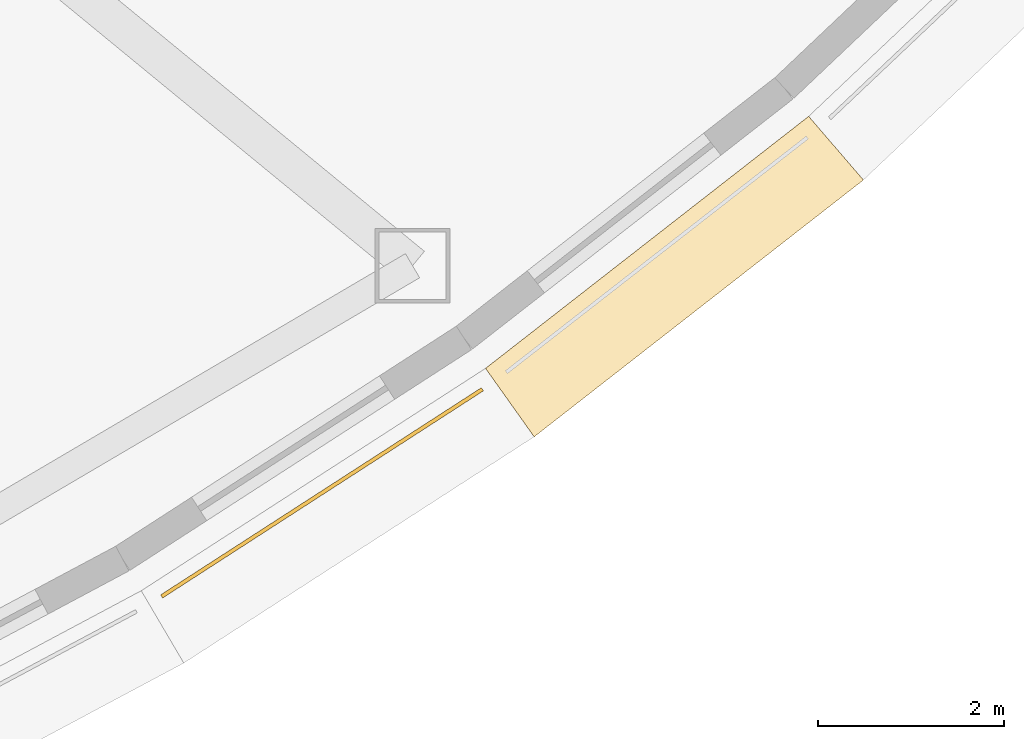
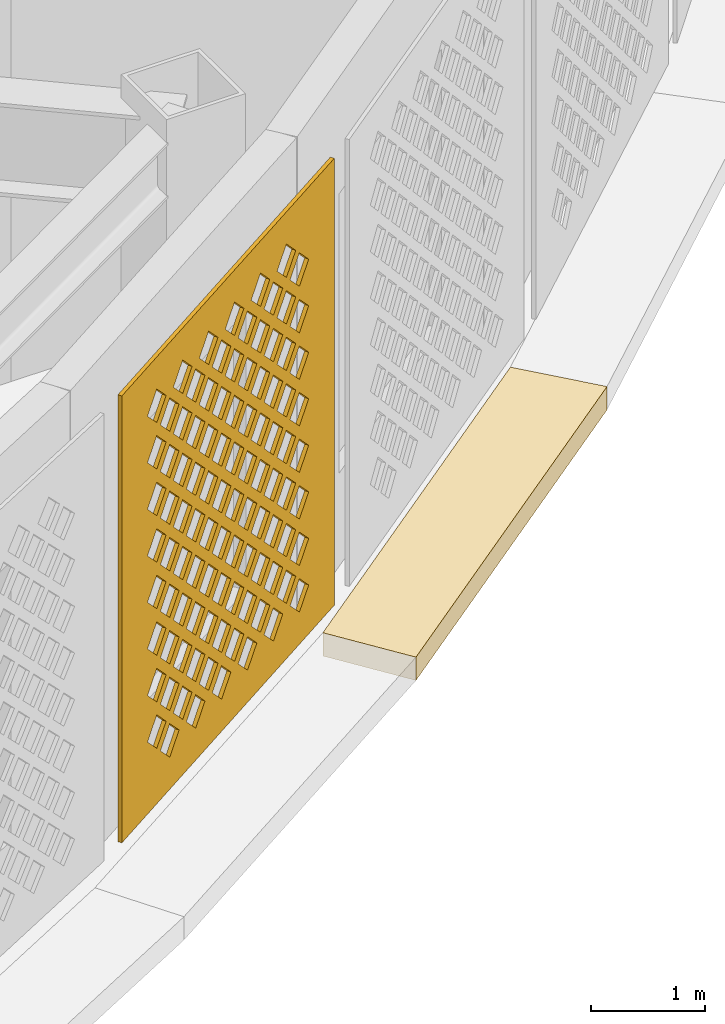
# One storey, part 63 of 69: 2 coverings.
"""IFC4 building model written with IfcOpenShell, lengths in metres."""

from ifc_helpers import new_model, si_unit, direction, frame, origin, place, context, subcontext, project, spatial, polyline, outline, extrude, material, layer, layer_set, type_object, element, save


model = new_model("IFC4")

# Units and contexts
model_context = context("Model", 3, precision=1e-05, world=origin(), true_north=direction((0.0, 1.0)))
body_context = subcontext(model_context, "Body", "Model", "MODEL_VIEW")
ifc_project = project(units=[si_unit("LENGTHUNIT", "METRE"), si_unit("AREAUNIT", "SQUARE_METRE"), si_unit("VOLUMEUNIT", "CUBIC_METRE"), si_unit("PLANEANGLEUNIT", "RADIAN"), si_unit("MASSUNIT", "GRAM", prefix="KILO")], contexts=[model_context])

# Site, building, storey
site_placement = place(None, origin())
site = spatial("IfcSite", under=ifc_project, at=site_placement, CompositionType="ELEMENT")
building_placement = place(site_placement, origin())
building = spatial("IfcBuilding", under=site, at=building_placement, Name="Noorbagh Ring Tower", CompositionType="ELEMENT")
storey_placement = place(building_placement, frame((0.0, 0.0, 19.5)))
storey = spatial("IfcBuildingStorey", under=building, at=storey_placement, Name="L03", CompositionType="ELEMENT", Elevation=19.5)

# Coverings
ifc_material_1 = material(Name="Red sandstone eave", Category="masonry")
covering_type_1 = type_object("IfcCoveringType", Name="STY-CHHAJJA", PredefinedType="USERDEFINED", material=ifc_material_1)
covering_1_placement = place(storey_placement, frame((0.0, 0.0, -0.25)))
element("IfcCovering", 1, at=covering_1_placement, inside=storey, type_object=covering_type_1, Name="Chhajja eave", ObjectType="CHHAJJA", PredefinedType="USERDEFINED", context=body_context, shape_type="SweptSolid", body=[
    extrude(outline(polyline([(35.247802734375, -29.408203125), (38.71435546875, -26.70458984375), (39.3017578125, -27.3876953125), (35.769775390625, -30.142578125), (35.247802734375, -29.408203125)])), origin(), (0.0, 0.0, 1.0), 0.25),
])
ifc_material_2 = material(Name="Red sandstone jali", Category="masonry")
ifc_layer = layer(ifc_material_2, 0.0400390625)
ifc_layer_set = layer_set([ifc_layer], Name="Red sandstone jali")
covering_type_2 = type_object("IfcCoveringType", Name="STY-JALI", PredefinedType="USERDEFINED", material=ifc_layer_set)
covering_2_placement = place(storey_placement, frame((31.78369140625, -31.871826171875, 0.449951171875), z_axis=(0.542524555296, -0.840039943634, 0.0), x_axis=(0.840039943634, 0.542524555296, 0.0)))
element("IfcCovering", 2, at=covering_2_placement, inside=storey, type_object=covering_type_2, Name="Jali screen", ObjectType="SCREEN", PredefinedType="USERDEFINED", context=body_context, shape_type="SweptSolid", body=[
    extrude(outline(polyline([(0.0, 0.0), (4.096435546875, 0.0), (4.096435546875, 4.800048828125), (0.0, 4.800048828125), (0.0, 0.0)]), holes=[polyline([(0.7431640625, 0.52490234375), (0.923095703125, 0.344970703125), (1.103271484375, 0.52490234375), (0.923095703125, 0.705078125), (0.7431640625, 0.52490234375)]), polyline([(1.2431640625, 0.52490234375), (1.423095703125, 0.344970703125), (1.603271484375, 0.52490234375), (1.423095703125, 0.705078125), (1.2431640625, 0.52490234375)]), polyline([(1.7431640625, 0.52490234375), (1.923095703125, 0.344970703125), (2.103271484375, 0.52490234375), (1.923095703125, 0.705078125), (1.7431640625, 0.52490234375)]), polyline([(2.2431640625, 0.52490234375), (2.423095703125, 0.344970703125), (2.603271484375, 0.52490234375), (2.423095703125, 0.705078125), (2.2431640625, 0.52490234375)]), polyline([(2.7431640625, 0.52490234375), (2.923095703125, 0.344970703125), (3.103271484375, 0.52490234375), (2.923095703125, 0.705078125), (2.7431640625, 0.52490234375)]), polyline([(3.2431640625, 0.52490234375), (3.423095703125, 0.344970703125), (3.603271484375, 0.52490234375), (3.423095703125, 0.705078125), (3.2431640625, 0.52490234375)]), polyline([(0.4931640625, 0.77490234375), (0.673095703125, 0.594970703125), (0.853271484375, 0.77490234375), (0.673095703125, 0.955078125), (0.4931640625, 0.77490234375)]), polyline([(0.9931640625, 0.77490234375), (1.173095703125, 0.594970703125), (1.353271484375, 0.77490234375), (1.173095703125, 0.955078125), (0.9931640625, 0.77490234375)]), polyline([(1.4931640625, 0.77490234375), (1.673095703125, 0.594970703125), (1.853271484375, 0.77490234375), (1.673095703125, 0.955078125), (1.4931640625, 0.77490234375)]), polyline([(1.9931640625, 0.77490234375), (2.173095703125, 0.594970703125), (2.353271484375, 0.77490234375), (2.173095703125, 0.955078125), (1.9931640625, 0.77490234375)]), polyline([(2.4931640625, 0.77490234375), (2.673095703125, 0.594970703125), (2.853271484375, 0.77490234375), (2.673095703125, 0.955078125), (2.4931640625, 0.77490234375)]), polyline([(2.9931640625, 0.77490234375), (3.173095703125, 0.594970703125), (3.353271484375, 0.77490234375), (3.173095703125, 0.955078125), (2.9931640625, 0.77490234375)]), polyline([(0.7431640625, 1.02490234375), (0.923095703125, 0.844970703125), (1.103271484375, 1.02490234375), (0.923095703125, 1.205078125), (0.7431640625, 1.02490234375)]), polyline([(1.2431640625, 1.02490234375), (1.423095703125, 0.844970703125), (1.603271484375, 1.02490234375), (1.423095703125, 1.205078125), (1.2431640625, 1.02490234375)]), polyline([(1.7431640625, 1.02490234375), (1.923095703125, 0.844970703125), (2.103271484375, 1.02490234375), (1.923095703125, 1.205078125), (1.7431640625, 1.02490234375)]), polyline([(2.2431640625, 1.02490234375), (2.423095703125, 0.844970703125), (2.603271484375, 1.02490234375), (2.423095703125, 1.205078125), (2.2431640625, 1.02490234375)]), polyline([(2.7431640625, 1.02490234375), (2.923095703125, 0.844970703125), (3.103271484375, 1.02490234375), (2.923095703125, 1.205078125), (2.7431640625, 1.02490234375)]), polyline([(3.2431640625, 1.02490234375), (3.423095703125, 0.844970703125), (3.603271484375, 1.02490234375), (3.423095703125, 1.205078125), (3.2431640625, 1.02490234375)]), polyline([(0.4931640625, 1.27490234375), (0.673095703125, 1.094970703125), (0.853271484375, 1.27490234375), (0.673095703125, 1.455078125), (0.4931640625, 1.27490234375)]), polyline([(0.9931640625, 1.27490234375), (1.173095703125, 1.094970703125), (1.353271484375, 1.27490234375), (1.173095703125, 1.455078125), (0.9931640625, 1.27490234375)]), polyline([(1.4931640625, 1.27490234375), (1.673095703125, 1.094970703125), (1.853271484375, 1.27490234375), (1.673095703125, 1.455078125), (1.4931640625, 1.27490234375)]), polyline([(1.9931640625, 1.27490234375), (2.173095703125, 1.094970703125), (2.353271484375, 1.27490234375), (2.173095703125, 1.455078125), (1.9931640625, 1.27490234375)]), polyline([(2.4931640625, 1.27490234375), (2.673095703125, 1.094970703125), (2.853271484375, 1.27490234375), (2.673095703125, 1.455078125), (2.4931640625, 1.27490234375)]), polyline([(2.9931640625, 1.27490234375), (3.173095703125, 1.094970703125), (3.353271484375, 1.27490234375), (3.173095703125, 1.455078125), (2.9931640625, 1.27490234375)]), polyline([(0.7431640625, 1.52490234375), (0.923095703125, 1.344970703125), (1.103271484375, 1.52490234375), (0.923095703125, 1.705078125), (0.7431640625, 1.52490234375)]), polyline([(1.2431640625, 1.52490234375), (1.423095703125, 1.344970703125), (1.603271484375, 1.52490234375), (1.423095703125, 1.705078125), (1.2431640625, 1.52490234375)]), polyline([(1.7431640625, 1.52490234375), (1.923095703125, 1.344970703125), (2.103271484375, 1.52490234375), (1.923095703125, 1.705078125), (1.7431640625, 1.52490234375)]), polyline([(2.2431640625, 1.52490234375), (2.423095703125, 1.344970703125), (2.603271484375, 1.52490234375), (2.423095703125, 1.705078125), (2.2431640625, 1.52490234375)]), polyline([(2.7431640625, 1.52490234375), (2.923095703125, 1.344970703125), (3.103271484375, 1.52490234375), (2.923095703125, 1.705078125), (2.7431640625, 1.52490234375)]), polyline([(3.2431640625, 1.52490234375), (3.423095703125, 1.344970703125), (3.603271484375, 1.52490234375), (3.423095703125, 1.705078125), (3.2431640625, 1.52490234375)]), polyline([(0.4931640625, 1.77490234375), (0.673095703125, 1.594970703125), (0.853271484375, 1.77490234375), (0.673095703125, 1.955078125), (0.4931640625, 1.77490234375)]), polyline([(0.9931640625, 1.77490234375), (1.173095703125, 1.594970703125), (1.353271484375, 1.77490234375), (1.173095703125, 1.955078125), (0.9931640625, 1.77490234375)]), polyline([(1.4931640625, 1.77490234375), (1.673095703125, 1.594970703125), (1.853271484375, 1.77490234375), (1.673095703125, 1.955078125), (1.4931640625, 1.77490234375)]), polyline([(1.9931640625, 1.77490234375), (2.173095703125, 1.594970703125), (2.353271484375, 1.77490234375), (2.173095703125, 1.955078125), (1.9931640625, 1.77490234375)]), polyline([(2.4931640625, 1.77490234375), (2.673095703125, 1.594970703125), (2.853271484375, 1.77490234375), (2.673095703125, 1.955078125), (2.4931640625, 1.77490234375)]), polyline([(2.9931640625, 1.77490234375), (3.173095703125, 1.594970703125), (3.353271484375, 1.77490234375), (3.173095703125, 1.955078125), (2.9931640625, 1.77490234375)]), polyline([(0.7431640625, 2.02490234375), (0.923095703125, 1.844970703125), (1.103271484375, 2.02490234375), (0.923095703125, 2.205078125), (0.7431640625, 2.02490234375)]), polyline([(1.2431640625, 2.02490234375), (1.423095703125, 1.844970703125), (1.603271484375, 2.02490234375), (1.423095703125, 2.205078125), (1.2431640625, 2.02490234375)]), polyline([(1.7431640625, 2.02490234375), (1.923095703125, 1.844970703125), (2.103271484375, 2.02490234375), (1.923095703125, 2.205078125), (1.7431640625, 2.02490234375)]), polyline([(2.2431640625, 2.02490234375), (2.423095703125, 1.844970703125), (2.603271484375, 2.02490234375), (2.423095703125, 2.205078125), (2.2431640625, 2.02490234375)]), polyline([(2.7431640625, 2.02490234375), (2.923095703125, 1.844970703125), (3.103271484375, 2.02490234375), (2.923095703125, 2.205078125), (2.7431640625, 2.02490234375)]), polyline([(3.2431640625, 2.02490234375), (3.423095703125, 1.844970703125), (3.603271484375, 2.02490234375), (3.423095703125, 2.205078125), (3.2431640625, 2.02490234375)]), polyline([(0.4931640625, 2.27490234375), (0.673095703125, 2.094970703125), (0.853271484375, 2.27490234375), (0.673095703125, 2.455078125), (0.4931640625, 2.27490234375)]), polyline([(0.9931640625, 2.27490234375), (1.173095703125, 2.094970703125), (1.353271484375, 2.27490234375), (1.173095703125, 2.455078125), (0.9931640625, 2.27490234375)]), polyline([(1.4931640625, 2.27490234375), (1.673095703125, 2.094970703125), (1.853271484375, 2.27490234375), (1.673095703125, 2.455078125), (1.4931640625, 2.27490234375)]), polyline([(1.9931640625, 2.27490234375), (2.173095703125, 2.094970703125), (2.353271484375, 2.27490234375), (2.173095703125, 2.455078125), (1.9931640625, 2.27490234375)]), polyline([(2.4931640625, 2.27490234375), (2.673095703125, 2.094970703125), (2.853271484375, 2.27490234375), (2.673095703125, 2.455078125), (2.4931640625, 2.27490234375)]), polyline([(2.9931640625, 2.27490234375), (3.173095703125, 2.094970703125), (3.353271484375, 2.27490234375), (3.173095703125, 2.455078125), (2.9931640625, 2.27490234375)]), polyline([(0.7431640625, 2.52490234375), (0.923095703125, 2.344970703125), (1.103271484375, 2.52490234375), (0.923095703125, 2.705078125), (0.7431640625, 2.52490234375)]), polyline([(1.2431640625, 2.52490234375), (1.423095703125, 2.344970703125), (1.603271484375, 2.52490234375), (1.423095703125, 2.705078125), (1.2431640625, 2.52490234375)]), polyline([(1.7431640625, 2.52490234375), (1.923095703125, 2.344970703125), (2.103271484375, 2.52490234375), (1.923095703125, 2.705078125), (1.7431640625, 2.52490234375)]), polyline([(2.2431640625, 2.52490234375), (2.423095703125, 2.344970703125), (2.603271484375, 2.52490234375), (2.423095703125, 2.705078125), (2.2431640625, 2.52490234375)]), polyline([(2.7431640625, 2.52490234375), (2.923095703125, 2.344970703125), (3.103271484375, 2.52490234375), (2.923095703125, 2.705078125), (2.7431640625, 2.52490234375)]), polyline([(3.2431640625, 2.52490234375), (3.423095703125, 2.344970703125), (3.603271484375, 2.52490234375), (3.423095703125, 2.705078125), (3.2431640625, 2.52490234375)]), polyline([(0.4931640625, 2.77490234375), (0.673095703125, 2.594970703125), (0.853271484375, 2.77490234375), (0.673095703125, 2.955078125), (0.4931640625, 2.77490234375)]), polyline([(0.9931640625, 2.77490234375), (1.173095703125, 2.594970703125), (1.353271484375, 2.77490234375), (1.173095703125, 2.955078125), (0.9931640625, 2.77490234375)]), polyline([(1.4931640625, 2.77490234375), (1.673095703125, 2.594970703125), (1.853271484375, 2.77490234375), (1.673095703125, 2.955078125), (1.4931640625, 2.77490234375)]), polyline([(1.9931640625, 2.77490234375), (2.173095703125, 2.594970703125), (2.353271484375, 2.77490234375), (2.173095703125, 2.955078125), (1.9931640625, 2.77490234375)]), polyline([(2.4931640625, 2.77490234375), (2.673095703125, 2.594970703125), (2.853271484375, 2.77490234375), (2.673095703125, 2.955078125), (2.4931640625, 2.77490234375)]), polyline([(2.9931640625, 2.77490234375), (3.173095703125, 2.594970703125), (3.353271484375, 2.77490234375), (3.173095703125, 2.955078125), (2.9931640625, 2.77490234375)]), polyline([(0.7431640625, 3.02490234375), (0.923095703125, 2.844970703125), (1.103271484375, 3.02490234375), (0.923095703125, 3.205078125), (0.7431640625, 3.02490234375)]), polyline([(1.2431640625, 3.02490234375), (1.423095703125, 2.844970703125), (1.603271484375, 3.02490234375), (1.423095703125, 3.205078125), (1.2431640625, 3.02490234375)]), polyline([(1.7431640625, 3.02490234375), (1.923095703125, 2.844970703125), (2.103271484375, 3.02490234375), (1.923095703125, 3.205078125), (1.7431640625, 3.02490234375)]), polyline([(2.2431640625, 3.02490234375), (2.423095703125, 2.844970703125), (2.603271484375, 3.02490234375), (2.423095703125, 3.205078125), (2.2431640625, 3.02490234375)]), polyline([(2.7431640625, 3.02490234375), (2.923095703125, 2.844970703125), (3.103271484375, 3.02490234375), (2.923095703125, 3.205078125), (2.7431640625, 3.02490234375)]), polyline([(3.2431640625, 3.02490234375), (3.423095703125, 2.844970703125), (3.603271484375, 3.02490234375), (3.423095703125, 3.205078125), (3.2431640625, 3.02490234375)]), polyline([(0.4931640625, 3.27490234375), (0.673095703125, 3.094970703125), (0.853271484375, 3.27490234375), (0.673095703125, 3.455078125), (0.4931640625, 3.27490234375)]), polyline([(0.9931640625, 3.27490234375), (1.173095703125, 3.094970703125), (1.353271484375, 3.27490234375), (1.173095703125, 3.455078125), (0.9931640625, 3.27490234375)]), polyline([(1.4931640625, 3.27490234375), (1.673095703125, 3.094970703125), (1.853271484375, 3.27490234375), (1.673095703125, 3.455078125), (1.4931640625, 3.27490234375)]), polyline([(1.9931640625, 3.27490234375), (2.173095703125, 3.094970703125), (2.353271484375, 3.27490234375), (2.173095703125, 3.455078125), (1.9931640625, 3.27490234375)]), polyline([(2.4931640625, 3.27490234375), (2.673095703125, 3.094970703125), (2.853271484375, 3.27490234375), (2.673095703125, 3.455078125), (2.4931640625, 3.27490234375)]), polyline([(2.9931640625, 3.27490234375), (3.173095703125, 3.094970703125), (3.353271484375, 3.27490234375), (3.173095703125, 3.455078125), (2.9931640625, 3.27490234375)]), polyline([(0.7431640625, 3.52490234375), (0.923095703125, 3.344970703125), (1.103271484375, 3.52490234375), (0.923095703125, 3.705078125), (0.7431640625, 3.52490234375)]), polyline([(1.2431640625, 3.52490234375), (1.423095703125, 3.344970703125), (1.603271484375, 3.52490234375), (1.423095703125, 3.705078125), (1.2431640625, 3.52490234375)]), polyline([(1.7431640625, 3.52490234375), (1.923095703125, 3.344970703125), (2.103271484375, 3.52490234375), (1.923095703125, 3.705078125), (1.7431640625, 3.52490234375)]), polyline([(2.2431640625, 3.52490234375), (2.423095703125, 3.344970703125), (2.603271484375, 3.52490234375), (2.423095703125, 3.705078125), (2.2431640625, 3.52490234375)]), polyline([(2.7431640625, 3.52490234375), (2.923095703125, 3.344970703125), (3.103271484375, 3.52490234375), (2.923095703125, 3.705078125), (2.7431640625, 3.52490234375)]), polyline([(3.2431640625, 3.52490234375), (3.423095703125, 3.344970703125), (3.603271484375, 3.52490234375), (3.423095703125, 3.705078125), (3.2431640625, 3.52490234375)]), polyline([(0.4931640625, 3.77490234375), (0.673095703125, 3.594970703125), (0.853271484375, 3.77490234375), (0.673095703125, 3.955078125), (0.4931640625, 3.77490234375)]), polyline([(0.9931640625, 3.77490234375), (1.173095703125, 3.594970703125), (1.353271484375, 3.77490234375), (1.173095703125, 3.955078125), (0.9931640625, 3.77490234375)]), polyline([(1.4931640625, 3.77490234375), (1.673095703125, 3.594970703125), (1.853271484375, 3.77490234375), (1.673095703125, 3.955078125), (1.4931640625, 3.77490234375)]), polyline([(1.9931640625, 3.77490234375), (2.173095703125, 3.594970703125), (2.353271484375, 3.77490234375), (2.173095703125, 3.955078125), (1.9931640625, 3.77490234375)]), polyline([(2.4931640625, 3.77490234375), (2.673095703125, 3.594970703125), (2.853271484375, 3.77490234375), (2.673095703125, 3.955078125), (2.4931640625, 3.77490234375)]), polyline([(2.9931640625, 3.77490234375), (3.173095703125, 3.594970703125), (3.353271484375, 3.77490234375), (3.173095703125, 3.955078125), (2.9931640625, 3.77490234375)]), polyline([(0.7431640625, 4.02490234375), (0.923095703125, 3.844970703125), (1.103271484375, 4.02490234375), (0.923095703125, 4.205078125), (0.7431640625, 4.02490234375)]), polyline([(1.2431640625, 4.02490234375), (1.423095703125, 3.844970703125), (1.603271484375, 4.02490234375), (1.423095703125, 4.205078125), (1.2431640625, 4.02490234375)]), polyline([(1.7431640625, 4.02490234375), (1.923095703125, 3.844970703125), (2.103271484375, 4.02490234375), (1.923095703125, 4.205078125), (1.7431640625, 4.02490234375)]), polyline([(2.2431640625, 4.02490234375), (2.423095703125, 3.844970703125), (2.603271484375, 4.02490234375), (2.423095703125, 4.205078125), (2.2431640625, 4.02490234375)]), polyline([(2.7431640625, 4.02490234375), (2.923095703125, 3.844970703125), (3.103271484375, 4.02490234375), (2.923095703125, 4.205078125), (2.7431640625, 4.02490234375)]), polyline([(3.2431640625, 4.02490234375), (3.423095703125, 3.844970703125), (3.603271484375, 4.02490234375), (3.423095703125, 4.205078125), (3.2431640625, 4.02490234375)]), polyline([(0.4931640625, 4.27490234375), (0.673095703125, 4.094970703125), (0.853271484375, 4.27490234375), (0.673095703125, 4.455078125), (0.4931640625, 4.27490234375)]), polyline([(0.9931640625, 4.27490234375), (1.173095703125, 4.094970703125), (1.353271484375, 4.27490234375), (1.173095703125, 4.455078125), (0.9931640625, 4.27490234375)]), polyline([(1.4931640625, 4.27490234375), (1.673095703125, 4.094970703125), (1.853271484375, 4.27490234375), (1.673095703125, 4.455078125), (1.4931640625, 4.27490234375)]), polyline([(1.9931640625, 4.27490234375), (2.173095703125, 4.094970703125), (2.353271484375, 4.27490234375), (2.173095703125, 4.455078125), (1.9931640625, 4.27490234375)]), polyline([(2.4931640625, 4.27490234375), (2.673095703125, 4.094970703125), (2.853271484375, 4.27490234375), (2.673095703125, 4.455078125), (2.4931640625, 4.27490234375)]), polyline([(2.9931640625, 4.27490234375), (3.173095703125, 4.094970703125), (3.353271484375, 4.27490234375), (3.173095703125, 4.455078125), (2.9931640625, 4.27490234375)])]), origin(), (0.0, 0.0, -1.0), 0.0400390625),
])

save(model, "model.ifc")
